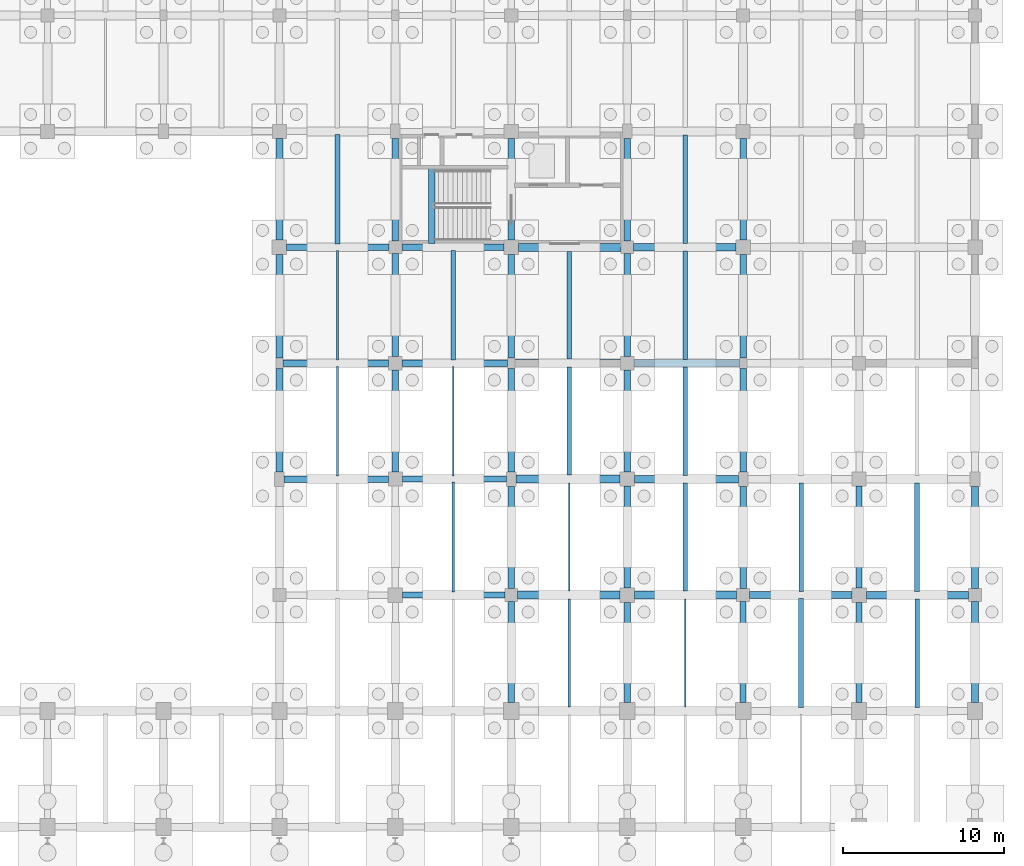
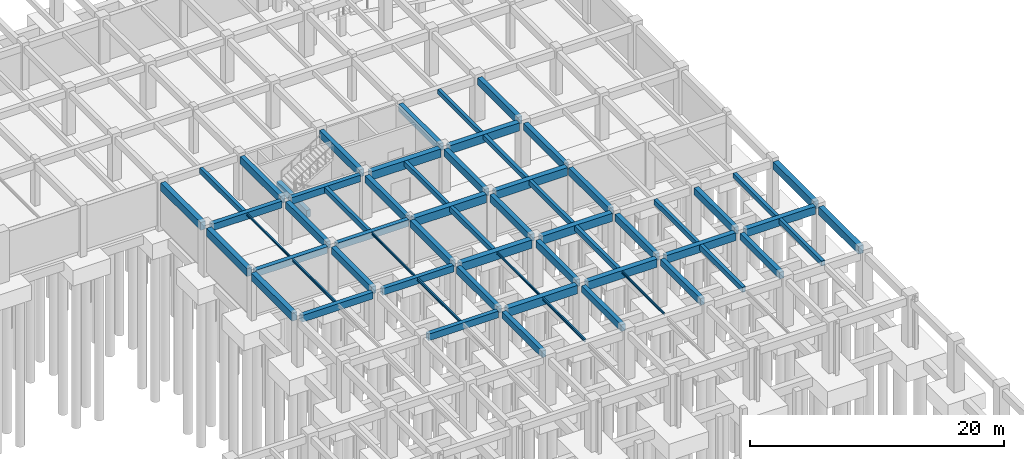
# One storey, part 34 of 47: 62 beams.
"""IFC4 building model written with IfcOpenShell, lengths in metres."""

from ifc_helpers import new_model, si_unit, direction, frame, origin, origin_2d, place, context, subcontext, project, spatial, rectangle, i_section, extrude, material, material_profile, profile_set, type_object, element, save


model = new_model("IFC4")

# Units and contexts
model_context = context("Model", 3, precision=1e-05, world=origin(), true_north=direction((0.0, 1.0)))
body_context = subcontext(model_context, "Body", "Model", "MODEL_VIEW")
ifc_project = project(units=[si_unit("LENGTHUNIT", "METRE"), si_unit("AREAUNIT", "SQUARE_METRE"), si_unit("VOLUMEUNIT", "CUBIC_METRE"), si_unit("PLANEANGLEUNIT", "RADIAN"), si_unit("MASSUNIT", "GRAM", prefix="KILO")], contexts=[model_context])

# Site, building, storey
site_placement = place(None, origin())
site = spatial("IfcSite", under=ifc_project, at=site_placement, CompositionType="ELEMENT")
building_placement = place(site_placement, origin())
building = spatial("IfcBuilding", under=site, at=building_placement, Name="Thalmaran Polytechnic", CompositionType="ELEMENT")
storey_placement = place(building_placement, frame((0.0, 0.0, -4.5)))
storey = spatial("IfcBuildingStorey", under=building, at=storey_placement, Name="B1", CompositionType="ELEMENT", Elevation=-4.5)

# Beams
ifc_material_1 = material(Name="Concrete C40/50", Category="concrete")
ifc_material_profile_1 = material_profile(ifc_material_1, rectangle(XDim=0.5, YDim=0.800048828125, at=origin_2d()), Name="RC 500x800")
ifc_profile_set_1 = profile_set([ifc_material_profile_1], Name="Concrete C40/50")
beam_type_1 = type_object("IfcBeamType", Name="BM-RC02", PredefinedType="BEAM", material=ifc_profile_set_1)
beam_1_placement = place(storey_placement, frame((144.39990234375, 64.800048828125, 3.7900390625), z_axis=(1.0, 0.0, 0.0), x_axis=(0.0, 1.0, 0.0)))
element("IfcBeam", 1, at=beam_1_placement, inside=storey, type_object=beam_type_1, Name="Grid Beam B02 B1 X(20,9)", PredefinedType="BEAM", context=body_context, shape_type="SweptSolid", body=[
    extrude(rectangle(XDim=0.5, YDim=0.800048828125, at=origin_2d()), origin(), (0.0, 0.0, 1.0), 6.35009765625),
])
beam_2_placement = place(storey_placement, frame((144.300048828125, 72.0, 3.7900390625), z_axis=(1.0, 0.0, 0.0), x_axis=(0.0, 1.0, 0.0)))
element("IfcBeam", 2, at=beam_2_placement, inside=storey, type_object=beam_type_1, Name="Grid Beam B02 B1 X(20,10)", PredefinedType="BEAM", context=body_context, shape_type="SweptSolid", body=[
    extrude(rectangle(XDim=0.5, YDim=0.800048828125, at=origin_2d()), origin(), (0.0, 0.0, 1.0), 6.4599609375),
])
beam_3_placement = place(storey_placement, frame((144.22509765625, 79.199951171875, 3.7900390625), z_axis=(1.0, 0.0, 0.0), x_axis=(0.0, 1.0, 0.0)))
element("IfcBeam", 3, at=beam_3_placement, inside=storey, type_object=beam_type_1, Name="Grid Beam B02 B1 X(20,11)", PredefinedType="BEAM", context=body_context, shape_type="SweptSolid", body=[
    extrude(rectangle(XDim=0.5, YDim=0.800048828125, at=origin_2d()), origin(), (0.0, 0.0, 1.0), 6.56494140625),
])
beam_4_placement = place(storey_placement, frame((144.449951171875, 86.39990234375, 3.7900390625), z_axis=(1.0, 0.0, 0.0), x_axis=(0.0, 1.0, 0.0)))
element("IfcBeam", 4, at=beam_4_placement, inside=storey, type_object=beam_type_1, Name="Grid Beam B02 B1 X(20,12)", PredefinedType="BEAM", context=body_context, shape_type="SweptSolid", body=[
    extrude(rectangle(XDim=0.5, YDim=0.800048828125, at=origin_2d()), origin(), (0.0, 0.0, 1.0), 6.35009765625),
])
ifc_material_profile_2 = material_profile(ifc_material_1, rectangle(XDim=0.449951171875, YDim=0.75, at=origin_2d()), Name="RC 450x750")
ifc_profile_set_2 = profile_set([ifc_material_profile_2], Name="Concrete C40/50")
beam_type_2 = type_object("IfcBeamType", Name="BM-RC03", PredefinedType="BEAM", material=ifc_profile_set_2)
beam_5_placement = place(storey_placement, frame((158.800048828125, 64.800048828125, 3.81494140625), z_axis=(1.0, 0.0, 0.0), x_axis=(0.0, 1.0, 0.0)))
element("IfcBeam", 5, at=beam_5_placement, inside=storey, type_object=beam_type_2, Name="Grid Beam B03 B1 X(22,9)", PredefinedType="BEAM", context=body_context, shape_type="SweptSolid", body=[
    extrude(rectangle(XDim=0.449951171875, YDim=0.75, at=origin_2d()), origin(), (0.0, 0.0, 1.0), 6.349853515625),
])
ifc_material_profile_3 = material_profile(ifc_material_1, rectangle(XDim=0.39990234375, YDim=0.64990234375, at=origin_2d()), Name="RC 400x650")
ifc_profile_set_3 = profile_set([ifc_material_profile_3], Name="Concrete C40/50")
beam_type_3 = type_object("IfcBeamType", Name="BM-RC06", PredefinedType="BEAM", material=ifc_profile_set_3)
beam_6_placement = place(storey_placement, frame((129.89990234375, 72.0, 3.864990234375), z_axis=(1.0, 0.0, 0.0), x_axis=(0.0, 1.0, 0.0)))
element("IfcBeam", 6, at=beam_6_placement, inside=storey, type_object=beam_type_3, Name="Grid Beam B06 B1 X(18,10)", PredefinedType="BEAM", context=body_context, shape_type="SweptSolid", body=[
    extrude(rectangle(XDim=0.39990234375, YDim=0.64990234375, at=origin_2d()), origin(), (0.0, 0.0, 1.0), 6.460205078125),
])
beam_7_placement = place(storey_placement, frame((129.824951171875, 79.199951171875, 3.864990234375), z_axis=(1.0, 0.0, 0.0), x_axis=(0.0, 1.0, 0.0)))
element("IfcBeam", 7, at=beam_7_placement, inside=storey, type_object=beam_type_3, Name="Grid Beam B06 B1 X(18,11)", PredefinedType="BEAM", context=body_context, shape_type="SweptSolid", body=[
    extrude(rectangle(XDim=0.39990234375, YDim=0.64990234375, at=origin_2d()), origin(), (0.0, 0.0, 1.0), 6.56494140625),
])
beam_8_placement = place(storey_placement, frame((130.050048828125, 86.39990234375, 3.864990234375), z_axis=(1.0, 0.0, 0.0), x_axis=(0.0, 1.0, 0.0)))
element("IfcBeam", 8, at=beam_8_placement, inside=storey, type_object=beam_type_3, Name="Grid Beam B06 B1 X(18,12)", PredefinedType="BEAM", context=body_context, shape_type="SweptSolid", body=[
    extrude(rectangle(XDim=0.39990234375, YDim=0.64990234375, at=origin_2d()), origin(), (0.0, 0.0, 1.0), 6.349853515625),
])
ifc_material_profile_4 = material_profile(ifc_material_1, rectangle(XDim=0.389892578125, YDim=0.68505859375, at=origin_2d()), Name="RC 390x685")
ifc_profile_set_4 = profile_set([ifc_material_profile_4], Name="Concrete C40/50")
beam_type_4 = type_object("IfcBeamType", Name="BM-RC08", PredefinedType="BEAM", material=ifc_profile_set_4)
beam_9_placement = place(storey_placement, frame((144.0, 65.199951171875, 3.847412109375), z_axis=(0.0, 1.0, 0.0), x_axis=(-1.0, 0.0, 0.0)))
element("IfcBeam", 9, at=beam_9_placement, inside=storey, type_object=beam_type_4, Name="Grid Beam B08 B1 Y(20,9)", PredefinedType="BEAM", context=body_context, shape_type="SweptSolid", body=[
    extrude(rectangle(XDim=0.389892578125, YDim=0.68505859375, at=origin_2d()), origin(), (0.0, 0.0, 1.0), 6.35009765625),
])
beam_10_placement = place(storey_placement, frame((151.199951171875, 65.25, 3.847412109375), z_axis=(0.0, 1.0, 0.0), x_axis=(-1.0, 0.0, 0.0)))
element("IfcBeam", 10, at=beam_10_placement, inside=storey, type_object=beam_type_4, Name="Grid Beam B08 B1 Y(21,9)", PredefinedType="BEAM", context=body_context, shape_type="SweptSolid", body=[
    extrude(rectangle(XDim=0.389892578125, YDim=0.68505859375, at=origin_2d()), origin(), (0.0, 0.0, 1.0), 6.31005859375),
])
beam_11_placement = place(storey_placement, frame((158.39990234375, 65.199951171875, 3.847412109375), z_axis=(0.0, 1.0, 0.0), x_axis=(-1.0, 0.0, 0.0)))
element("IfcBeam", 11, at=beam_11_placement, inside=storey, type_object=beam_type_4, Name="Grid Beam B08 B1 Y(22,9)", PredefinedType="BEAM", context=body_context, shape_type="SweptSolid", body=[
    extrude(rectangle(XDim=0.389892578125, YDim=0.68505859375, at=origin_2d()), origin(), (0.0, 0.0, 1.0), 6.35009765625),
])
beam_12_placement = place(storey_placement, frame((165.60009765625, 65.25, 3.847412109375), z_axis=(0.0, 1.0, 0.0), x_axis=(-1.0, 0.0, 0.0)))
element("IfcBeam", 12, at=beam_12_placement, inside=storey, type_object=beam_type_4, Name="Grid Beam B08 B1 Y(23,9)", PredefinedType="BEAM", context=body_context, shape_type="SweptSolid", body=[
    extrude(rectangle(XDim=0.389892578125, YDim=0.68505859375, at=origin_2d()), origin(), (0.0, 0.0, 1.0), 6.31005859375),
])
ifc_material_profile_5 = material_profile(ifc_material_1, rectangle(XDim=0.389892578125, YDim=0.68994140625, at=origin_2d()), Name="RC 390x690")
ifc_profile_set_5 = profile_set([ifc_material_profile_5], Name="Concrete C40/50")
beam_type_5 = type_object("IfcBeamType", Name="BM-RC09", PredefinedType="BEAM", material=ifc_profile_set_5)
beam_13_placement = place(storey_placement, frame((136.800048828125, 79.610107421875, 3.844970703125), z_axis=(0.0, 1.0, 0.0), x_axis=(-1.0, 0.0, 0.0)))
element("IfcBeam", 13, at=beam_13_placement, inside=storey, type_object=beam_type_5, Name="Grid Beam B09 B1 Y(19,11)", PredefinedType="BEAM", context=body_context, shape_type="SweptSolid", body=[
    extrude(rectangle(XDim=0.389892578125, YDim=0.68994140625, at=origin_2d()), origin(), (0.0, 0.0, 1.0), 6.389892578125),
])
beam_14_placement = place(storey_placement, frame((144.0, 79.52490234375, 3.844970703125), z_axis=(0.0, 1.0, 0.0), x_axis=(-1.0, 0.0, 0.0)))
element("IfcBeam", 14, at=beam_14_placement, inside=storey, type_object=beam_type_5, Name="Grid Beam B09 B1 Y(20,11)", PredefinedType="BEAM", context=body_context, shape_type="SweptSolid", body=[
    extrude(rectangle(XDim=0.389892578125, YDim=0.68994140625, at=origin_2d()), origin(), (0.0, 0.0, 1.0), 6.425048828125),
])
beam_15_placement = place(storey_placement, frame((151.199951171875, 79.610107421875, 3.844970703125), z_axis=(0.0, 1.0, 0.0), x_axis=(-1.0, 0.0, 0.0)))
element("IfcBeam", 15, at=beam_15_placement, inside=storey, type_object=beam_type_5, Name="Grid Beam B09 B1 Y(21,11)", PredefinedType="BEAM", context=body_context, shape_type="SweptSolid", body=[
    extrude(rectangle(XDim=0.389892578125, YDim=0.68994140625, at=origin_2d()), origin(), (0.0, 0.0, 1.0), 6.389892578125),
])
beam_16_placement = place(storey_placement, frame((158.39990234375, 79.52490234375, 3.844970703125), z_axis=(0.0, 1.0, 0.0), x_axis=(-1.0, 0.0, 0.0)))
element("IfcBeam", 16, at=beam_16_placement, inside=storey, type_object=beam_type_5, Name="Grid Beam B09 B1 Y(22,11)", PredefinedType="BEAM", context=body_context, shape_type="SweptSolid", body=[
    extrude(rectangle(XDim=0.389892578125, YDim=0.68994140625, at=origin_2d()), origin(), (0.0, 0.0, 1.0), 6.425048828125),
])
ifc_material_profile_6 = material_profile(ifc_material_1, rectangle(XDim=0.389892578125, YDim=0.695068359375, at=origin_2d()), Name="RC 390x695")
ifc_profile_set_6 = profile_set([ifc_material_profile_6], Name="Concrete C40/50")
beam_type_6 = type_object("IfcBeamType", Name="BM-RC10", PredefinedType="BEAM", material=ifc_profile_set_6)
beam_17_placement = place(storey_placement, frame((139.06005859375, 86.639892578125, 1.7900390625), z_axis=(0.0, 1.0, 0.0), x_axis=(-1.0, 0.0, 0.0)))
element("IfcBeam", 17, at=beam_17_placement, inside=storey, type_object=beam_type_6, Name="ST5 B1 Half-Landing Trimmer Beam", PredefinedType="BEAM", context=body_context, shape_type="SweptSolid", body=[
    extrude(rectangle(XDim=0.389892578125, YDim=0.695068359375, at=origin_2d()), origin(), (0.0, 0.0, 1.0), 4.7001953125),
])
ifc_material_profile_7 = material_profile(ifc_material_1, rectangle(XDim=0.300048828125, YDim=0.5, at=origin_2d()), Name="RC 300x500")
ifc_profile_set_7 = profile_set([ifc_material_profile_7], Name="Concrete C40/50")
beam_type_7 = type_object("IfcBeamType", Name="BM-RC11", PredefinedType="JOIST", material=ifc_profile_set_7)
beam_18_placement = place(storey_placement, frame((133.199951171875, 86.60009765625, 3.93994140625), z_axis=(0.0, 1.0, 0.0), x_axis=(-1.0, 0.0, 0.0)))
element("IfcBeam", 18, at=beam_18_placement, inside=storey, type_object=beam_type_7, Name="Secondary Floor Rib RB01 B1 (18,12)", PredefinedType="JOIST", context=body_context, shape_type="SweptSolid", body=[
    extrude(rectangle(XDim=0.300048828125, YDim=0.5, at=origin_2d()), origin(), (0.0, 0.0, 1.0), 6.7998046875),
])
beam_19_placement = place(storey_placement, frame((140.39990234375, 79.389892578125, 3.93994140625), z_axis=(0.0, 1.0, 0.0), x_axis=(-1.0, 0.0, 0.0)))
element("IfcBeam", 19, at=beam_19_placement, inside=storey, type_object=beam_type_7, Name="Secondary Floor Rib RB01 B1 (19,11)", PredefinedType="JOIST", context=body_context, shape_type="SweptSolid", body=[
    extrude(rectangle(XDim=0.300048828125, YDim=0.5, at=origin_2d()), origin(), (0.0, 0.0, 1.0), 6.820068359375),
])
beam_20_placement = place(storey_placement, frame((147.60009765625, 72.25, 3.93994140625), z_axis=(0.0, 1.0, 0.0), x_axis=(-1.0, 0.0, 0.0)))
element("IfcBeam", 20, at=beam_20_placement, inside=storey, type_object=beam_type_7, Name="Secondary Floor Rib RB01 B1 (20,10)", PredefinedType="JOIST", context=body_context, shape_type="SweptSolid", body=[
    extrude(rectangle(XDim=0.300048828125, YDim=0.5, at=origin_2d()), origin(), (0.0, 0.0, 1.0), 6.699951171875),
])
beam_21_placement = place(storey_placement, frame((154.800048828125, 65.0400390625, 3.93994140625), z_axis=(0.0, 1.0, 0.0), x_axis=(-1.0, 0.0, 0.0)))
element("IfcBeam", 21, at=beam_21_placement, inside=storey, type_object=beam_type_7, Name="Secondary Floor Rib RB01 B1 (21,9)", PredefinedType="JOIST", context=body_context, shape_type="SweptSolid", body=[
    extrude(rectangle(XDim=0.300048828125, YDim=0.5, at=origin_2d()), origin(), (0.0, 0.0, 1.0), 6.719970703125),
])
beam_22_placement = place(storey_placement, frame((162.0, 57.824951171875, 3.93994140625), z_axis=(0.0, 1.0, 0.0), x_axis=(-1.0, 0.0, 0.0)))
element("IfcBeam", 22, at=beam_22_placement, inside=storey, type_object=beam_type_7, Name="Secondary Floor Rib RB01 B1 (22,8)", PredefinedType="JOIST", context=body_context, shape_type="SweptSolid", body=[
    extrude(rectangle(XDim=0.300048828125, YDim=0.5, at=origin_2d()), origin(), (0.0, 0.0, 1.0), 6.75),
])
ifc_material_profile_8 = material_profile(ifc_material_1, rectangle(XDim=0.300048828125, YDim=0.449951171875, at=origin_2d()), Name="RC 300x450")
ifc_profile_set_8 = profile_set([ifc_material_profile_8], Name="Concrete C40/50")
beam_type_8 = type_object("IfcBeamType", Name="BM-RC12", PredefinedType="JOIST", material=ifc_profile_set_8)
beam_23_placement = place(storey_placement, frame((154.800048828125, 79.43994140625, 3.965087890625), z_axis=(0.0, 1.0, 0.0), x_axis=(-1.0, 0.0, 0.0)))
element("IfcBeam", 23, at=beam_23_placement, inside=storey, type_object=beam_type_8, Name="Secondary Floor Rib RB02 B1 (21,11)", PredefinedType="JOIST", context=body_context, shape_type="SweptSolid", body=[
    extrude(rectangle(XDim=0.300048828125, YDim=0.449951171875, at=origin_2d()), origin(), (0.0, 0.0, 1.0), 6.719970703125),
])
beam_24_placement = place(storey_placement, frame((169.199951171875, 65.030029296875, 3.965087890625), z_axis=(0.0, 1.0, 0.0), x_axis=(-1.0, 0.0, 0.0)))
element("IfcBeam", 24, at=beam_24_placement, inside=storey, type_object=beam_type_8, Name="Secondary Floor Rib RB02 B1 (23,9)", PredefinedType="JOIST", context=body_context, shape_type="SweptSolid", body=[
    extrude(rectangle(XDim=0.300048828125, YDim=0.449951171875, at=origin_2d()), origin(), (0.0, 0.0, 1.0), 6.739990234375),
])
ifc_material_2 = material(Name="Steel S355", Category="steel")
ifc_material_profile_9 = material_profile(ifc_material_2, i_section(OverallWidth=0.135009765625, OverallDepth=0.27001953125, WebThickness=0.006591796875, FlangeThickness=0.01025390625, at=origin_2d()), Name="IPE 270")
ifc_profile_set_9 = profile_set([ifc_material_profile_9], Name="Steel S355")
beam_type_9 = type_object("IfcBeamType", Name="BM-SJ03", PredefinedType="JOIST", material=ifc_profile_set_9)
beam_25_placement = place(storey_placement, frame((133.199951171875, 72.199951171875, 4.054931640625), z_axis=(0.0, 1.0, 0.0), x_axis=(-1.0, 0.0, 0.0)))
element("IfcBeam", 25, at=beam_25_placement, inside=storey, type_object=beam_type_9, Name="Secondary Floor Rib SJ03 B1 (18,10)", PredefinedType="JOIST", context=body_context, shape_type="SweptSolid", body=[
    extrude(i_section(OverallWidth=0.135009765625, OverallDepth=0.27001953125, WebThickness=0.006591796875, FlangeThickness=0.01025390625, at=origin_2d()), origin(), (0.0, 0.0, 1.0), 6.800048828125),
])
beam_26_placement = place(storey_placement, frame((140.39990234375, 64.989990234375, 4.054931640625), z_axis=(0.0, 1.0, 0.0), x_axis=(-1.0, 0.0, 0.0)))
element("IfcBeam", 26, at=beam_26_placement, inside=storey, type_object=beam_type_9, Name="Secondary Floor Rib SJ03 B1 (19,9)", PredefinedType="JOIST", context=body_context, shape_type="SweptSolid", body=[
    extrude(i_section(OverallWidth=0.135009765625, OverallDepth=0.27001953125, WebThickness=0.006591796875, FlangeThickness=0.01025390625, at=origin_2d()), origin(), (0.0, 0.0, 1.0), 6.820068359375),
])
beam_27_placement = place(storey_placement, frame((147.60009765625, 57.85009765625, 4.054931640625), z_axis=(0.0, 1.0, 0.0), x_axis=(-1.0, 0.0, 0.0)))
element("IfcBeam", 27, at=beam_27_placement, inside=storey, type_object=beam_type_9, Name="Secondary Floor Rib SJ03 B1 (20,8)", PredefinedType="JOIST", context=body_context, shape_type="SweptSolid", body=[
    extrude(i_section(OverallWidth=0.135009765625, OverallDepth=0.27001953125, WebThickness=0.006591796875, FlangeThickness=0.01025390625, at=origin_2d()), origin(), (0.0, 0.0, 1.0), 6.699951171875),
])
ifc_material_profile_10 = material_profile(ifc_material_2, i_section(OverallWidth=0.110107421875, OverallDepth=0.219970703125, WebThickness=0.005859375, FlangeThickness=0.00927734375, at=origin_2d()), Name="IPE 220")
ifc_profile_set_10 = profile_set([ifc_material_profile_10], Name="Steel S355")
beam_type_10 = type_object("IfcBeamType", Name="BM-SJ04", PredefinedType="JOIST", material=ifc_profile_set_10)
beam_28_placement = place(storey_placement, frame((133.199951171875, 79.39990234375, 4.080078125), z_axis=(0.0, 1.0, 0.0), x_axis=(-1.0, 0.0, 0.0)))
element("IfcBeam", 28, at=beam_28_placement, inside=storey, type_object=beam_type_10, Name="Secondary Floor Rib SJ04 B1 (18,11)", PredefinedType="JOIST", context=body_context, shape_type="SweptSolid", body=[
    extrude(i_section(OverallWidth=0.110107421875, OverallDepth=0.219970703125, WebThickness=0.005859375, FlangeThickness=0.00927734375, at=origin_2d()), origin(), (0.0, 0.0, 1.0), 6.800048828125),
])
beam_29_placement = place(storey_placement, frame((140.39990234375, 72.18994140625, 4.080078125), z_axis=(0.0, 1.0, 0.0), x_axis=(-1.0, 0.0, 0.0)))
element("IfcBeam", 29, at=beam_29_placement, inside=storey, type_object=beam_type_10, Name="Secondary Floor Rib SJ04 B1 (19,10)", PredefinedType="JOIST", context=body_context, shape_type="SweptSolid", body=[
    extrude(i_section(OverallWidth=0.110107421875, OverallDepth=0.219970703125, WebThickness=0.005859375, FlangeThickness=0.00927734375, at=origin_2d()), origin(), (0.0, 0.0, 1.0), 6.820068359375),
])
beam_30_placement = place(storey_placement, frame((147.60009765625, 65.050048828125, 4.080078125), z_axis=(0.0, 1.0, 0.0), x_axis=(-1.0, 0.0, 0.0)))
element("IfcBeam", 30, at=beam_30_placement, inside=storey, type_object=beam_type_10, Name="Secondary Floor Rib SJ04 B1 (20,9)", PredefinedType="JOIST", context=body_context, shape_type="SweptSolid", body=[
    extrude(i_section(OverallWidth=0.110107421875, OverallDepth=0.219970703125, WebThickness=0.005859375, FlangeThickness=0.00927734375, at=origin_2d()), origin(), (0.0, 0.0, 1.0), 6.699951171875),
])
beam_31_placement = place(storey_placement, frame((154.800048828125, 57.840087890625, 4.080078125), z_axis=(0.0, 1.0, 0.0), x_axis=(-1.0, 0.0, 0.0)))
element("IfcBeam", 31, at=beam_31_placement, inside=storey, type_object=beam_type_10, Name="Secondary Floor Rib SJ04 B1 (21,8)", PredefinedType="JOIST", context=body_context, shape_type="SweptSolid", body=[
    extrude(i_section(OverallWidth=0.110107421875, OverallDepth=0.219970703125, WebThickness=0.005859375, FlangeThickness=0.00927734375, at=origin_2d()), origin(), (0.0, 0.0, 1.0), 6.719970703125),
])
ifc_material_profile_11 = material_profile(ifc_material_1, rectangle(XDim=0.449951171875, YDim=0.7548828125, at=origin_2d()), Name="RC 450x755")
ifc_profile_set_11 = profile_set([ifc_material_profile_11], Name="Concrete C40/50")
beam_type_11 = type_object("IfcBeamType", Name="BM-SP02", PredefinedType="SPANDREL", material=ifc_profile_set_11)
for number, where, z_axis, x_axis, name in (
    (32, (129.60009765625, 72.449951171875, 3.8125), (0.0, 1.0, 0.0), (-1.0, 0.0, 0.0), "Grid Beam SP02 B1 Y(18,10)"),
    (33, (129.60009765625, 79.52490234375, 3.8125), (0.0, 1.0, 0.0), (-1.0, 0.0, 0.0), "Grid Beam SP02 B1 Y(18,11)"),
):
    element("IfcBeam", number, at=place(storey_placement, frame(where, z_axis=z_axis, x_axis=x_axis)), inside=storey, type_object=beam_type_11, Name=name, PredefinedType="SPANDREL", context=body_context, shape_type="SweptSolid", body=[
        extrude(rectangle(XDim=0.449951171875, YDim=0.7548828125, at=origin_2d()), origin(), (0.0, 0.0, 1.0), 6.425048828125),
    ])
beam_32_placement = place(storey_placement, frame((129.60009765625, 86.85009765625, 3.8125), z_axis=(0.0, 1.0, 0.0), x_axis=(-1.0, 0.0, 0.0)))
element("IfcBeam", 34, at=beam_32_placement, inside=storey, type_object=beam_type_11, Name="Grid Beam SP02 B1 Y(18,12)", PredefinedType="SPANDREL", context=body_context, shape_type="SweptSolid", body=[
    extrude(rectangle(XDim=0.449951171875, YDim=0.7548828125, at=origin_2d()), origin(), (0.0, 0.0, 1.0), 6.309814453125),
])
beam_33_placement = place(storey_placement, frame((172.800048828125, 58.125, 3.8125), z_axis=(0.0, 1.0, 0.0), x_axis=(-1.0, 0.0, 0.0)))
element("IfcBeam", 35, at=beam_33_placement, inside=storey, type_object=beam_type_11, Name="Grid Beam SP02 B1 Y(24,8)", PredefinedType="SPANDREL", context=body_context, shape_type="SweptSolid", body=[
    extrude(rectangle(XDim=0.449951171875, YDim=0.7548828125, at=origin_2d()), origin(), (0.0, 0.0, 1.0), 6.27490234375),
])
beam_34_placement = place(storey_placement, frame((172.800048828125, 65.199951171875, 3.8125), z_axis=(0.0, 1.0, 0.0), x_axis=(-1.0, 0.0, 0.0)))
element("IfcBeam", 36, at=beam_34_placement, inside=storey, type_object=beam_type_11, Name="Grid Beam SP02 B1 Y(24,9)", PredefinedType="SPANDREL", context=body_context, shape_type="SweptSolid", body=[
    extrude(rectangle(XDim=0.449951171875, YDim=0.7548828125, at=origin_2d()), origin(), (0.0, 0.0, 1.0), 6.35009765625),
])
ifc_material_profile_12 = material_profile(ifc_material_1, rectangle(XDim=0.47998046875, YDim=0.780029296875, at=origin_2d()), Name="RC 480x780")
ifc_profile_set_12 = profile_set([ifc_material_profile_12], Name="Concrete C40/50")
beam_type_12 = type_object("IfcBeamType", Name="BM-ZB01", PredefinedType="BEAM", material=ifc_profile_set_12)
beam_35_placement = place(storey_placement, frame((151.64990234375, 64.800048828125, 3.800048828125), z_axis=(1.0, 0.0, 0.0), x_axis=(0.0, 1.0, 0.0)))
element("IfcBeam", 37, at=beam_35_placement, inside=storey, type_object=beam_type_12, Name="Grid Beam ZB01 B1 X(21,9)", PredefinedType="BEAM", context=body_context, shape_type="SweptSolid", body=[
    extrude(rectangle(XDim=0.47998046875, YDim=0.780029296875, at=origin_2d()), origin(), (0.0, 0.0, 1.0), 6.35009765625),
])
beam_36_placement = place(storey_placement, frame((151.639892578125, 72.0, 3.800048828125), z_axis=(1.0, 0.0, 0.0), x_axis=(0.0, 1.0, 0.0)))
element("IfcBeam", 38, at=beam_36_placement, inside=storey, type_object=beam_type_12, Name="Grid Beam ZB01 B1 X(21,10)", PredefinedType="BEAM", context=body_context, shape_type="SweptSolid", body=[
    extrude(rectangle(XDim=0.47998046875, YDim=0.780029296875, at=origin_2d()), origin(), (0.0, 0.0, 1.0), 6.460205078125),
])
beam_37_placement = place(storey_placement, frame((151.610107421875, 79.199951171875, 3.800048828125), z_axis=(1.0, 0.0, 0.0), x_axis=(0.0, 1.0, 0.0)))
element("IfcBeam", 39, at=beam_37_placement, inside=storey, type_object=beam_type_12, Name="Grid Beam ZB01 B1 X(21,11)", PredefinedType="BEAM", context=body_context, shape_type="SweptSolid", body=[
    extrude(rectangle(XDim=0.47998046875, YDim=0.780029296875, at=origin_2d()), origin(), (0.0, 0.0, 1.0), 6.56494140625),
])
beam_38_placement = place(storey_placement, frame((151.60009765625, 86.39990234375, 3.800048828125), z_axis=(1.0, 0.0, 0.0), x_axis=(0.0, 1.0, 0.0)))
element("IfcBeam", 40, at=beam_38_placement, inside=storey, type_object=beam_type_12, Name="Grid Beam ZB01 B1 X(21,12)", PredefinedType="BEAM", context=body_context, shape_type="SweptSolid", body=[
    extrude(rectangle(XDim=0.47998046875, YDim=0.780029296875, at=origin_2d()), origin(), (0.0, 0.0, 1.0), 6.349853515625),
])
ifc_material_profile_13 = material_profile(ifc_material_1, rectangle(XDim=0.4599609375, YDim=0.739990234375, at=origin_2d()), Name="RC 460x740")
ifc_profile_set_13 = profile_set([ifc_material_profile_13], Name="Concrete C40/50")
beam_type_13 = type_object("IfcBeamType", Name="BM-ZB02", PredefinedType="BEAM", material=ifc_profile_set_13)
beam_39_placement = place(storey_placement, frame((166.050048828125, 64.800048828125, 3.820068359375), z_axis=(1.0, 0.0, 0.0), x_axis=(0.0, 1.0, 0.0)))
element("IfcBeam", 41, at=beam_39_placement, inside=storey, type_object=beam_type_13, Name="Grid Beam ZB02 B1 X(23,9)", PredefinedType="BEAM", context=body_context, shape_type="SweptSolid", body=[
    extrude(rectangle(XDim=0.4599609375, YDim=0.739990234375, at=origin_2d()), origin(), (0.0, 0.0, 1.0), 6.349853515625),
])
ifc_material_profile_14 = material_profile(ifc_material_1, rectangle(XDim=0.3798828125, YDim=0.639892578125, at=origin_2d()), Name="RC 380x640")
ifc_profile_set_14 = profile_set([ifc_material_profile_14], Name="Concrete C40/50")
beam_type_14 = type_object("IfcBeamType", Name="BM-ZB05", PredefinedType="BEAM", material=ifc_profile_set_14)
beam_40_placement = place(storey_placement, frame((137.25, 64.800048828125, 3.8701171875), z_axis=(1.0, 0.0, 0.0), x_axis=(0.0, 1.0, 0.0)))
element("IfcBeam", 42, at=beam_40_placement, inside=storey, type_object=beam_type_14, Name="Grid Beam ZB05 B1 X(19,9)", PredefinedType="BEAM", context=body_context, shape_type="SweptSolid", body=[
    extrude(rectangle(XDim=0.3798828125, YDim=0.639892578125, at=origin_2d()), origin(), (0.0, 0.0, 1.0), 6.35009765625),
])
beam_41_placement = place(storey_placement, frame((137.239990234375, 72.0, 3.8701171875), z_axis=(1.0, 0.0, 0.0), x_axis=(0.0, 1.0, 0.0)))
element("IfcBeam", 43, at=beam_41_placement, inside=storey, type_object=beam_type_14, Name="Grid Beam ZB05 B1 X(19,10)", PredefinedType="BEAM", context=body_context, shape_type="SweptSolid", body=[
    extrude(rectangle(XDim=0.3798828125, YDim=0.639892578125, at=origin_2d()), origin(), (0.0, 0.0, 1.0), 6.4599609375),
])
beam_42_placement = place(storey_placement, frame((137.2099609375, 79.199951171875, 3.8701171875), z_axis=(1.0, 0.0, 0.0), x_axis=(0.0, 1.0, 0.0)))
element("IfcBeam", 44, at=beam_42_placement, inside=storey, type_object=beam_type_14, Name="Grid Beam ZB05 B1 X(19,11)", PredefinedType="BEAM", context=body_context, shape_type="SweptSolid", body=[
    extrude(rectangle(XDim=0.3798828125, YDim=0.639892578125, at=origin_2d()), origin(), (0.0, 0.0, 1.0), 6.56494140625),
])
beam_43_placement = place(storey_placement, frame((137.199951171875, 86.39990234375, 3.8701171875), z_axis=(1.0, 0.0, 0.0), x_axis=(0.0, 1.0, 0.0)))
element("IfcBeam", 45, at=beam_43_placement, inside=storey, type_object=beam_type_14, Name="Grid Beam ZB05 B1 X(19,12)", PredefinedType="BEAM", context=body_context, shape_type="SweptSolid", body=[
    extrude(rectangle(XDim=0.3798828125, YDim=0.639892578125, at=origin_2d()), origin(), (0.0, 0.0, 1.0), 6.35009765625),
])
ifc_material_profile_15 = material_profile(ifc_material_1, rectangle(XDim=0.3798828125, YDim=0.635009765625, at=origin_2d()), Name="RC 380x635")
ifc_profile_set_15 = profile_set([ifc_material_profile_15], Name="Concrete C40/50")
beam_type_15 = type_object("IfcBeamType", Name="BM-ZB06", PredefinedType="BEAM", material=ifc_profile_set_15)
beam_44_placement = place(storey_placement, frame((144.0, 58.125, 3.87255859375), z_axis=(0.0, 1.0, 0.0), x_axis=(-1.0, 0.0, 0.0)))
element("IfcBeam", 46, at=beam_44_placement, inside=storey, type_object=beam_type_15, Name="Grid Beam ZB06 B1 Y(20,8)", PredefinedType="BEAM", context=body_context, shape_type="SweptSolid", body=[
    extrude(rectangle(XDim=0.3798828125, YDim=0.635009765625, at=origin_2d()), origin(), (0.0, 0.0, 1.0), 6.27490234375),
])
beam_45_placement = place(storey_placement, frame((151.199951171875, 58.125, 3.87255859375), z_axis=(0.0, 1.0, 0.0), x_axis=(-1.0, 0.0, 0.0)))
element("IfcBeam", 47, at=beam_45_placement, inside=storey, type_object=beam_type_15, Name="Grid Beam ZB06 B1 Y(21,8)", PredefinedType="BEAM", context=body_context, shape_type="SweptSolid", body=[
    extrude(rectangle(XDim=0.3798828125, YDim=0.635009765625, at=origin_2d()), origin(), (0.0, 0.0, 1.0), 6.22509765625),
])
beam_46_placement = place(storey_placement, frame((158.39990234375, 58.125, 3.87255859375), z_axis=(0.0, 1.0, 0.0), x_axis=(-1.0, 0.0, 0.0)))
element("IfcBeam", 48, at=beam_46_placement, inside=storey, type_object=beam_type_15, Name="Grid Beam ZB06 B1 Y(22,8)", PredefinedType="BEAM", context=body_context, shape_type="SweptSolid", body=[
    extrude(rectangle(XDim=0.3798828125, YDim=0.635009765625, at=origin_2d()), origin(), (0.0, 0.0, 1.0), 6.27490234375),
])
beam_47_placement = place(storey_placement, frame((165.60009765625, 58.125, 3.87255859375), z_axis=(0.0, 1.0, 0.0), x_axis=(-1.0, 0.0, 0.0)))
element("IfcBeam", 49, at=beam_47_placement, inside=storey, type_object=beam_type_15, Name="Grid Beam ZB06 B1 Y(23,8)", PredefinedType="BEAM", context=body_context, shape_type="SweptSolid", body=[
    extrude(rectangle(XDim=0.3798828125, YDim=0.635009765625, at=origin_2d()), origin(), (0.0, 0.0, 1.0), 6.22509765625),
])
ifc_material_profile_16 = material_profile(ifc_material_1, rectangle(XDim=0.39990234375, YDim=0.68505859375, at=origin_2d()), Name="RC 400x685")
ifc_profile_set_16 = profile_set([ifc_material_profile_16], Name="Concrete C40/50")
beam_type_16 = type_object("IfcBeamType", Name="BM-ZB07", PredefinedType="BEAM", material=ifc_profile_set_16)
beam_48_placement = place(storey_placement, frame((136.800048828125, 72.43994140625, 3.847412109375), z_axis=(0.0, 1.0, 0.0), x_axis=(-1.0, 0.0, 0.0)))
element("IfcBeam", 50, at=beam_48_placement, inside=storey, type_object=beam_type_16, Name="Grid Beam ZB07 B1 Y(19,10)", PredefinedType="BEAM", context=body_context, shape_type="SweptSolid", body=[
    extrude(rectangle(XDim=0.39990234375, YDim=0.68505859375, at=origin_2d()), origin(), (0.0, 0.0, 1.0), 6.35009765625),
])
beam_49_placement = place(storey_placement, frame((144.0, 72.449951171875, 3.847412109375), z_axis=(0.0, 1.0, 0.0), x_axis=(-1.0, 0.0, 0.0)))
element("IfcBeam", 51, at=beam_49_placement, inside=storey, type_object=beam_type_16, Name="Grid Beam ZB07 B1 Y(20,10)", PredefinedType="BEAM", context=body_context, shape_type="SweptSolid", body=[
    extrude(rectangle(XDim=0.39990234375, YDim=0.68505859375, at=origin_2d()), origin(), (0.0, 0.0, 1.0), 6.425048828125),
])
beam_50_placement = place(storey_placement, frame((151.199951171875, 72.43994140625, 3.847412109375), z_axis=(0.0, 1.0, 0.0), x_axis=(-1.0, 0.0, 0.0)))
element("IfcBeam", 52, at=beam_50_placement, inside=storey, type_object=beam_type_16, Name="Grid Beam ZB07 B1 Y(21,10)", PredefinedType="BEAM", context=body_context, shape_type="SweptSolid", body=[
    extrude(rectangle(XDim=0.39990234375, YDim=0.68505859375, at=origin_2d()), origin(), (0.0, 0.0, 1.0), 6.35009765625),
])
beam_51_placement = place(storey_placement, frame((158.39990234375, 72.449951171875, 3.847412109375), z_axis=(0.0, 1.0, 0.0), x_axis=(-1.0, 0.0, 0.0)))
element("IfcBeam", 53, at=beam_51_placement, inside=storey, type_object=beam_type_16, Name="Grid Beam ZB07 B1 Y(22,10)", PredefinedType="BEAM", context=body_context, shape_type="SweptSolid", body=[
    extrude(rectangle(XDim=0.39990234375, YDim=0.68505859375, at=origin_2d()), origin(), (0.0, 0.0, 1.0), 6.425048828125),
])
ifc_material_profile_17 = material_profile(ifc_material_1, rectangle(XDim=0.39990234375, YDim=0.695068359375, at=origin_2d()), Name="RC 400x695")
ifc_profile_set_17 = profile_set([ifc_material_profile_17], Name="Concrete C40/50")
beam_type_17 = type_object("IfcBeamType", Name="BM-ZB08", PredefinedType="BEAM", material=ifc_profile_set_17)
beam_52_placement = place(storey_placement, frame((136.800048828125, 86.800048828125, 3.842529296875), z_axis=(0.0, 1.0, 0.0), x_axis=(-1.0, 0.0, 0.0)))
element("IfcBeam", 54, at=beam_52_placement, inside=storey, type_object=beam_type_17, Name="Grid Beam ZB08 B1 Y(19,12)", PredefinedType="BEAM", context=body_context, shape_type="SweptSolid", body=[
    extrude(rectangle(XDim=0.39990234375, YDim=0.695068359375, at=origin_2d()), origin(), (0.0, 0.0, 1.0), 6.349853515625),
])
beam_53_placement = place(storey_placement, frame((144.0, 86.85009765625, 3.842529296875), z_axis=(0.0, 1.0, 0.0), x_axis=(-1.0, 0.0, 0.0)))
element("IfcBeam", 55, at=beam_53_placement, inside=storey, type_object=beam_type_17, Name="Grid Beam ZB08 B1 Y(20,12)", PredefinedType="BEAM", context=body_context, shape_type="SweptSolid", body=[
    extrude(rectangle(XDim=0.39990234375, YDim=0.695068359375, at=origin_2d()), origin(), (0.0, 0.0, 1.0), 6.309814453125),
])
beam_54_placement = place(storey_placement, frame((151.199951171875, 86.800048828125, 3.842529296875), z_axis=(0.0, 1.0, 0.0), x_axis=(-1.0, 0.0, 0.0)))
element("IfcBeam", 56, at=beam_54_placement, inside=storey, type_object=beam_type_17, Name="Grid Beam ZB08 B1 Y(21,12)", PredefinedType="BEAM", context=body_context, shape_type="SweptSolid", body=[
    extrude(rectangle(XDim=0.39990234375, YDim=0.695068359375, at=origin_2d()), origin(), (0.0, 0.0, 1.0), 6.349853515625),
])
beam_55_placement = place(storey_placement, frame((158.39990234375, 86.85009765625, 3.842529296875), z_axis=(0.0, 1.0, 0.0), x_axis=(-1.0, 0.0, 0.0)))
element("IfcBeam", 57, at=beam_55_placement, inside=storey, type_object=beam_type_17, Name="Grid Beam ZB08 B1 Y(22,12)", PredefinedType="BEAM", context=body_context, shape_type="SweptSolid", body=[
    extrude(rectangle(XDim=0.39990234375, YDim=0.695068359375, at=origin_2d()), origin(), (0.0, 0.0, 1.0), 6.309814453125),
])
ifc_material_profile_18 = material_profile(ifc_material_1, rectangle(XDim=0.280029296875, YDim=0.47998046875, at=origin_2d()), Name="RC 280x480")
ifc_profile_set_18 = profile_set([ifc_material_profile_18], Name="Concrete C40/50")
beam_type_18 = type_object("IfcBeamType", Name="BM-ZJ01", PredefinedType="JOIST", material=ifc_profile_set_18)
beam_56_placement = place(storey_placement, frame((147.60009765625, 79.449951171875, 3.949951171875), z_axis=(0.0, 1.0, 0.0), x_axis=(-1.0, 0.0, 0.0)))
element("IfcBeam", 58, at=beam_56_placement, inside=storey, type_object=beam_type_18, Name="Secondary Floor Rib ZJ01 B1 (20,11)", PredefinedType="JOIST", context=body_context, shape_type="SweptSolid", body=[
    extrude(rectangle(XDim=0.280029296875, YDim=0.47998046875, at=origin_2d()), origin(), (0.0, 0.0, 1.0), 6.699951171875),
])
beam_57_placement = place(storey_placement, frame((154.800048828125, 72.239990234375, 3.949951171875), z_axis=(0.0, 1.0, 0.0), x_axis=(-1.0, 0.0, 0.0)))
element("IfcBeam", 59, at=beam_57_placement, inside=storey, type_object=beam_type_18, Name="Secondary Floor Rib ZJ01 B1 (21,10)", PredefinedType="JOIST", context=body_context, shape_type="SweptSolid", body=[
    extrude(rectangle(XDim=0.280029296875, YDim=0.47998046875, at=origin_2d()), origin(), (0.0, 0.0, 1.0), 6.719970703125),
])
beam_58_placement = place(storey_placement, frame((162.0, 65.02490234375, 3.949951171875), z_axis=(0.0, 1.0, 0.0), x_axis=(-1.0, 0.0, 0.0)))
element("IfcBeam", 60, at=beam_58_placement, inside=storey, type_object=beam_type_18, Name="Secondary Floor Rib ZJ01 B1 (22,9)", PredefinedType="JOIST", context=body_context, shape_type="SweptSolid", body=[
    extrude(rectangle(XDim=0.280029296875, YDim=0.47998046875, at=origin_2d()), origin(), (0.0, 0.0, 1.0), 6.75),
])
beam_59_placement = place(storey_placement, frame((169.199951171875, 57.830078125, 3.949951171875), z_axis=(0.0, 1.0, 0.0), x_axis=(-1.0, 0.0, 0.0)))
element("IfcBeam", 61, at=beam_59_placement, inside=storey, type_object=beam_type_18, Name="Secondary Floor Rib ZJ01 B1 (23,8)", PredefinedType="JOIST", context=body_context, shape_type="SweptSolid", body=[
    extrude(rectangle(XDim=0.280029296875, YDim=0.47998046875, at=origin_2d()), origin(), (0.0, 0.0, 1.0), 6.739990234375),
])
ifc_material_profile_19 = material_profile(ifc_material_1, rectangle(XDim=0.260009765625, YDim=0.43994140625, at=origin_2d()), Name="RC 260x440")
ifc_profile_set_19 = profile_set([ifc_material_profile_19], Name="Concrete C40/50")
beam_type_19 = type_object("IfcBeamType", Name="BM-ZJ02", PredefinedType="JOIST", material=ifc_profile_set_19)
beam_60_placement = place(storey_placement, frame((154.800048828125, 86.639892578125, 3.969970703125), z_axis=(0.0, 1.0, 0.0), x_axis=(-1.0, 0.0, 0.0)))
element("IfcBeam", 62, at=beam_60_placement, inside=storey, type_object=beam_type_19, Name="Secondary Floor Rib ZJ02 B1 (21,12)", PredefinedType="JOIST", context=body_context, shape_type="SweptSolid", body=[
    extrude(rectangle(XDim=0.260009765625, YDim=0.43994140625, at=origin_2d()), origin(), (0.0, 0.0, 1.0), 6.72021484375),
])

save(model, "model.ifc")
